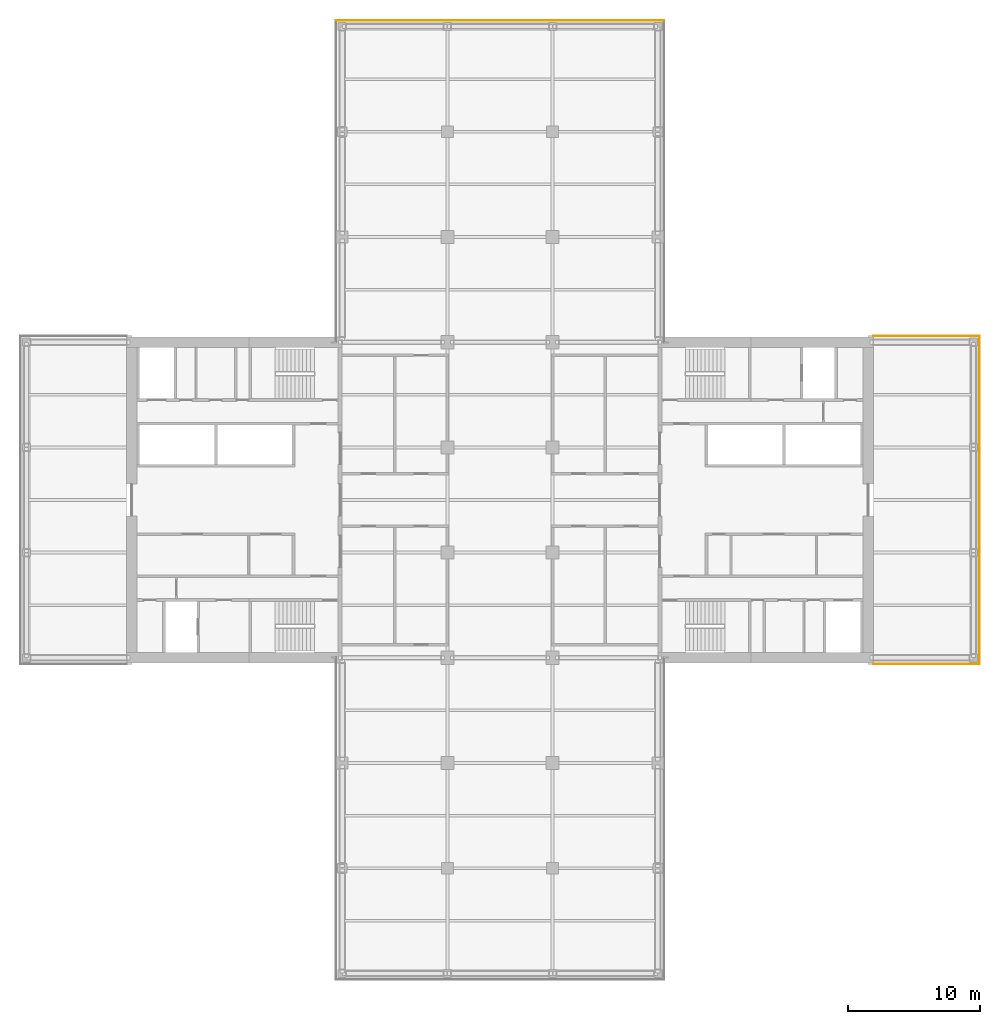
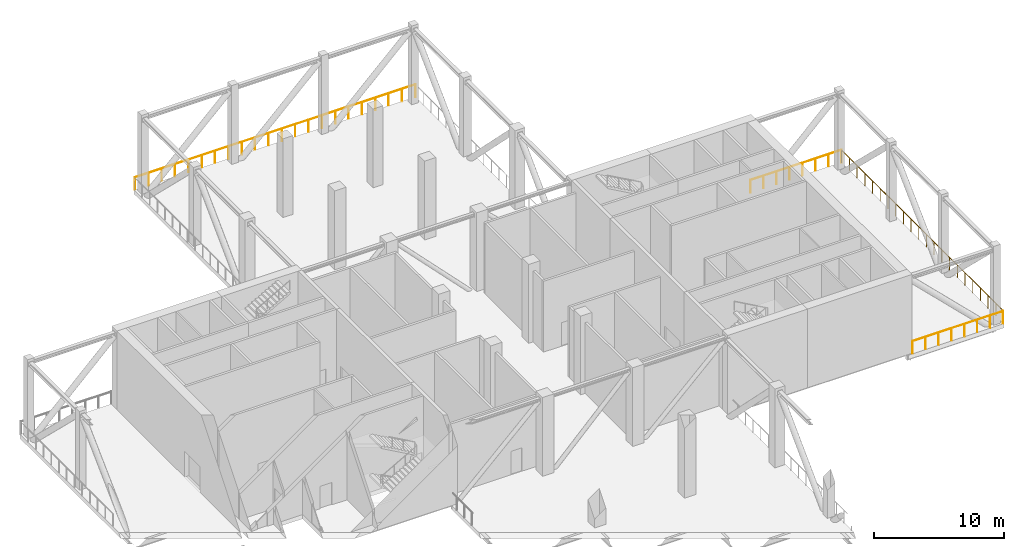
# One storey, part 18 of 18: 4 railings.
"""IFC4 building model written with IfcOpenShell, lengths in metres."""

from ifc_helpers import new_model, si_unit, direction, frame, origin, origin_2d, place, context, subcontext, project, spatial, circle, extrude, material, type_object, element, save


model = new_model("IFC4")

# Units and contexts
model_context = context("Model", 3, precision=1e-05, world=origin(), true_north=direction((0.0, 1.0)))
body_context = subcontext(model_context, "Body", "Model", "MODEL_VIEW")
ifc_project = project(units=[si_unit("LENGTHUNIT", "METRE"), si_unit("AREAUNIT", "SQUARE_METRE"), si_unit("VOLUMEUNIT", "CUBIC_METRE"), si_unit("PLANEANGLEUNIT", "RADIAN"), si_unit("MASSUNIT", "GRAM", prefix="KILO")], contexts=[model_context])

# Site, building, storey
site_placement = place(None, origin())
site = spatial("IfcSite", under=ifc_project, at=site_placement, CompositionType="ELEMENT")
building_placement = place(site_placement, origin())
building = spatial("IfcBuilding", under=site, at=building_placement, Name="Crosswind Convention Tower", CompositionType="ELEMENT")
storey_placement = place(building_placement, frame((0.0, 0.0, 105.300048828125)))
storey = spatial("IfcBuildingStorey", under=building, at=storey_placement, Name="L21", CompositionType="ELEMENT", Elevation=105.300048828125)

# Railings
ifc_material = material(Name="Stainless steel guard", Category="steel")
railing_type = type_object("IfcRailingType", Name="WIND FLOOR GUARD 1200", PredefinedType="GUARDRAIL", material=ifc_material)
railing_1_placement = place(storey_placement, frame((112.56494140625, 136.47509765625, 0.0)))
element("IfcRailing", 1, at=railing_1_placement, inside=storey, type_object=railing_type, Name="R12 guard L21 6", PredefinedType="GUARDRAIL", context=body_context, shape_type="SweptSolid", body=[
    extrude(circle(Radius=0.01904296875, at=origin_2d()), frame((0.0, 0.0, 1.180908203125), z_axis=(1.0, 0.0, 0.0), x_axis=(0.0, 1.0, 0.0)), (0.0, 0.0, 1.0), 24.91015625),
    extrude(circle(Radius=0.01611328125, at=origin_2d()), origin(), (0.0, 0.0, 1.0), 1.161865234375),
    extrude(circle(Radius=0.01611328125, at=origin_2d()), frame((1.186279296875, 0.0, 0.0)), (0.0, 0.0, 1.0), 1.161865234375),
    extrude(circle(Radius=0.01611328125, at=origin_2d()), frame((2.372314453125, 0.0, 0.0)), (0.0, 0.0, 1.0), 1.161865234375),
    extrude(circle(Radius=0.01611328125, at=origin_2d()), frame((3.55859375, 0.0, 0.0)), (0.0, 0.0, 1.0), 1.161865234375),
    extrude(circle(Radius=0.01611328125, at=origin_2d()), frame((4.744873046875, 0.0, 0.0)), (0.0, 0.0, 1.0), 1.161865234375),
    extrude(circle(Radius=0.01611328125, at=origin_2d()), frame((5.930908203125, 0.0, 0.0)), (0.0, 0.0, 1.0), 1.161865234375),
    extrude(circle(Radius=0.01611328125, at=origin_2d()), frame((7.1171875, 0.0, 0.0)), (0.0, 0.0, 1.0), 1.161865234375),
    extrude(circle(Radius=0.01611328125, at=origin_2d()), frame((8.303466796875, 0.0, 0.0)), (0.0, 0.0, 1.0), 1.161865234375),
    extrude(circle(Radius=0.01611328125, at=origin_2d()), frame((9.489501953125, 0.0, 0.0)), (0.0, 0.0, 1.0), 1.161865234375),
    extrude(circle(Radius=0.01611328125, at=origin_2d()), frame((10.67578125, 0.0, 0.0)), (0.0, 0.0, 1.0), 1.161865234375),
    extrude(circle(Radius=0.01611328125, at=origin_2d()), frame((11.862060546875, 0.0, 0.0)), (0.0, 0.0, 1.0), 1.161865234375),
    extrude(circle(Radius=0.01611328125, at=origin_2d()), frame((13.048095703125, 0.0, 0.0)), (0.0, 0.0, 1.0), 1.161865234375),
    extrude(circle(Radius=0.01611328125, at=origin_2d()), frame((14.234375, 0.0, 0.0)), (0.0, 0.0, 1.0), 1.161865234375),
    extrude(circle(Radius=0.01611328125, at=origin_2d()), frame((15.420654296875, 0.0, 0.0)), (0.0, 0.0, 1.0), 1.161865234375),
    extrude(circle(Radius=0.01611328125, at=origin_2d()), frame((16.606689453125, 0.0, 0.0)), (0.0, 0.0, 1.0), 1.161865234375),
    extrude(circle(Radius=0.01611328125, at=origin_2d()), frame((17.79296875, 0.0, 0.0)), (0.0, 0.0, 1.0), 1.161865234375),
    extrude(circle(Radius=0.01611328125, at=origin_2d()), frame((18.979248046875, 0.0, 0.0)), (0.0, 0.0, 1.0), 1.161865234375),
    extrude(circle(Radius=0.01611328125, at=origin_2d()), frame((20.165283203125, 0.0, 0.0)), (0.0, 0.0, 1.0), 1.161865234375),
    extrude(circle(Radius=0.01611328125, at=origin_2d()), frame((21.3515625, 0.0, 0.0)), (0.0, 0.0, 1.0), 1.161865234375),
    extrude(circle(Radius=0.01611328125, at=origin_2d()), frame((22.537841796875, 0.0, 0.0)), (0.0, 0.0, 1.0), 1.161865234375),
    extrude(circle(Radius=0.01611328125, at=origin_2d()), frame((23.723876953125, 0.0, 0.0)), (0.0, 0.0, 1.0), 1.161865234375),
    extrude(circle(Radius=0.01611328125, at=origin_2d()), frame((24.91015625, 0.0, 0.0)), (0.0, 0.0, 1.0), 1.161865234375),
])
railing_2_placement = place(storey_placement, frame((153.389892578125, 112.47509765625, 0.0)))
element("IfcRailing", 2, at=railing_2_placement, inside=storey, type_object=railing_type, Name="R12 guard L21 14", PredefinedType="GUARDRAIL", context=body_context, shape_type="SweptSolid", body=[
    extrude(circle(Radius=0.01904296875, at=origin_2d()), frame((0.0, 0.0, 1.180908203125), z_axis=(1.0, 0.0, 0.0), x_axis=(0.0, 1.0, 0.0)), (0.0, 0.0, 1.0), 8.085205078125),
    extrude(circle(Radius=0.01611328125, at=origin_2d()), origin(), (0.0, 0.0, 1.0), 1.161865234375),
    extrude(circle(Radius=0.01611328125, at=origin_2d()), frame((1.155029296875, 0.0, 0.0)), (0.0, 0.0, 1.0), 1.161865234375),
    extrude(circle(Radius=0.01611328125, at=origin_2d()), frame((2.31005859375, 0.0, 0.0)), (0.0, 0.0, 1.0), 1.161865234375),
    extrude(circle(Radius=0.01611328125, at=origin_2d()), frame((3.465087890625, 0.0, 0.0)), (0.0, 0.0, 1.0), 1.161865234375),
    extrude(circle(Radius=0.01611328125, at=origin_2d()), frame((4.6201171875, 0.0, 0.0)), (0.0, 0.0, 1.0), 1.161865234375),
    extrude(circle(Radius=0.01611328125, at=origin_2d()), frame((5.775146484375, 0.0, 0.0)), (0.0, 0.0, 1.0), 1.161865234375),
    extrude(circle(Radius=0.01611328125, at=origin_2d()), frame((6.93017578125, 0.0, 0.0)), (0.0, 0.0, 1.0), 1.161865234375),
    extrude(circle(Radius=0.01611328125, at=origin_2d()), frame((8.085205078125, 0.0, 0.0)), (0.0, 0.0, 1.0), 1.161865234375),
])
railing_3_placement = place(storey_placement, frame((161.47509765625, 112.43505859375, 0.0)))
element("IfcRailing", 3, at=railing_3_placement, inside=storey, type_object=railing_type, Name="R12 guard L21 15", PredefinedType="GUARDRAIL", context=body_context, shape_type="SweptSolid", body=[
    extrude(circle(Radius=0.01904296875, at=origin_2d()), frame((0.0, 0.0, 1.180908203125), z_axis=(0.0, -1.0, 0.0), x_axis=(1.0, 0.0, 0.0)), (0.0, 0.0, 1.0), 24.91015625),
    extrude(circle(Radius=0.01611328125, at=origin_2d()), origin(), (0.0, 0.0, 1.0), 1.161865234375),
    extrude(circle(Radius=0.01611328125, at=origin_2d()), frame((0.0, -1.186279296875, 0.0)), (0.0, 0.0, 1.0), 1.161865234375),
    extrude(circle(Radius=0.01611328125, at=origin_2d()), frame((0.0, -2.372314453125, 0.0)), (0.0, 0.0, 1.0), 1.161865234375),
    extrude(circle(Radius=0.01611328125, at=origin_2d()), frame((0.0, -3.55859375, 0.0)), (0.0, 0.0, 1.0), 1.161865234375),
    extrude(circle(Radius=0.01611328125, at=origin_2d()), frame((0.0, -4.744873046875, 0.0)), (0.0, 0.0, 1.0), 1.161865234375),
    extrude(circle(Radius=0.01611328125, at=origin_2d()), frame((0.0, -5.930908203125, 0.0)), (0.0, 0.0, 1.0), 1.161865234375),
    extrude(circle(Radius=0.01611328125, at=origin_2d()), frame((0.0, -7.1171875, 0.0)), (0.0, 0.0, 1.0), 1.161865234375),
    extrude(circle(Radius=0.01611328125, at=origin_2d()), frame((0.0, -8.303466796875, 0.0)), (0.0, 0.0, 1.0), 1.161865234375),
    extrude(circle(Radius=0.01611328125, at=origin_2d()), frame((0.0, -9.489501953125, 0.0)), (0.0, 0.0, 1.0), 1.161865234375),
    extrude(circle(Radius=0.01611328125, at=origin_2d()), frame((0.0, -10.67578125, 0.0)), (0.0, 0.0, 1.0), 1.161865234375),
    extrude(circle(Radius=0.01611328125, at=origin_2d()), frame((0.0, -11.862060546875, 0.0)), (0.0, 0.0, 1.0), 1.161865234375),
    extrude(circle(Radius=0.01611328125, at=origin_2d()), frame((0.0, -13.048095703125, 0.0)), (0.0, 0.0, 1.0), 1.161865234375),
    extrude(circle(Radius=0.01611328125, at=origin_2d()), frame((0.0, -14.234375, 0.0)), (0.0, 0.0, 1.0), 1.161865234375),
    extrude(circle(Radius=0.01611328125, at=origin_2d()), frame((0.0, -15.420654296875, 0.0)), (0.0, 0.0, 1.0), 1.161865234375),
    extrude(circle(Radius=0.01611328125, at=origin_2d()), frame((0.0, -16.606689453125, 0.0)), (0.0, 0.0, 1.0), 1.161865234375),
    extrude(circle(Radius=0.01611328125, at=origin_2d()), frame((0.0, -17.79296875, 0.0)), (0.0, 0.0, 1.0), 1.161865234375),
    extrude(circle(Radius=0.01611328125, at=origin_2d()), frame((0.0, -18.979248046875, 0.0)), (0.0, 0.0, 1.0), 1.161865234375),
    extrude(circle(Radius=0.01611328125, at=origin_2d()), frame((0.0, -20.165283203125, 0.0)), (0.0, 0.0, 1.0), 1.161865234375),
    extrude(circle(Radius=0.01611328125, at=origin_2d()), frame((0.0, -21.3515625, 0.0)), (0.0, 0.0, 1.0), 1.161865234375),
    extrude(circle(Radius=0.01611328125, at=origin_2d()), frame((0.0, -22.537841796875, 0.0)), (0.0, 0.0, 1.0), 1.161865234375),
    extrude(circle(Radius=0.01611328125, at=origin_2d()), frame((0.0, -23.723876953125, 0.0)), (0.0, 0.0, 1.0), 1.161865234375),
    extrude(circle(Radius=0.01611328125, at=origin_2d()), frame((0.0, -24.91015625, 0.0)), (0.0, 0.0, 1.0), 1.161865234375),
])
railing_4_placement = place(storey_placement, frame((161.43505859375, 87.52490234375, 0.0)))
element("IfcRailing", 4, at=railing_4_placement, inside=storey, type_object=railing_type, Name="R12 guard L21 16", PredefinedType="GUARDRAIL", context=body_context, shape_type="SweptSolid", body=[
    extrude(circle(Radius=0.01904296875, at=origin_2d()), frame((0.0, 0.0, 1.180908203125), z_axis=(-1.0, 0.0, 0.0), x_axis=(0.0, -1.0, 0.0)), (0.0, 0.0, 1.0), 8.045166015625),
    extrude(circle(Radius=0.01611328125, at=origin_2d()), origin(), (0.0, 0.0, 1.0), 1.161865234375),
    extrude(circle(Radius=0.01611328125, at=origin_2d()), frame((-1.1494140625, 0.0, 0.0)), (0.0, 0.0, 1.0), 1.161865234375),
    extrude(circle(Radius=0.01611328125, at=origin_2d()), frame((-2.298583984375, 0.0, 0.0)), (0.0, 0.0, 1.0), 1.161865234375),
    extrude(circle(Radius=0.01611328125, at=origin_2d()), frame((-3.447998046875, 0.0, 0.0)), (0.0, 0.0, 1.0), 1.161865234375),
    extrude(circle(Radius=0.01611328125, at=origin_2d()), frame((-4.59716796875, 0.0, 0.0)), (0.0, 0.0, 1.0), 1.161865234375),
    extrude(circle(Radius=0.01611328125, at=origin_2d()), frame((-5.74658203125, 0.0, 0.0)), (0.0, 0.0, 1.0), 1.161865234375),
    extrude(circle(Radius=0.01611328125, at=origin_2d()), frame((-6.895751953125, 0.0, 0.0)), (0.0, 0.0, 1.0), 1.161865234375),
    extrude(circle(Radius=0.01611328125, at=origin_2d()), frame((-8.045166015625, 0.0, 0.0)), (0.0, 0.0, 1.0), 1.161865234375),
])

save(model, "model.ifc")
